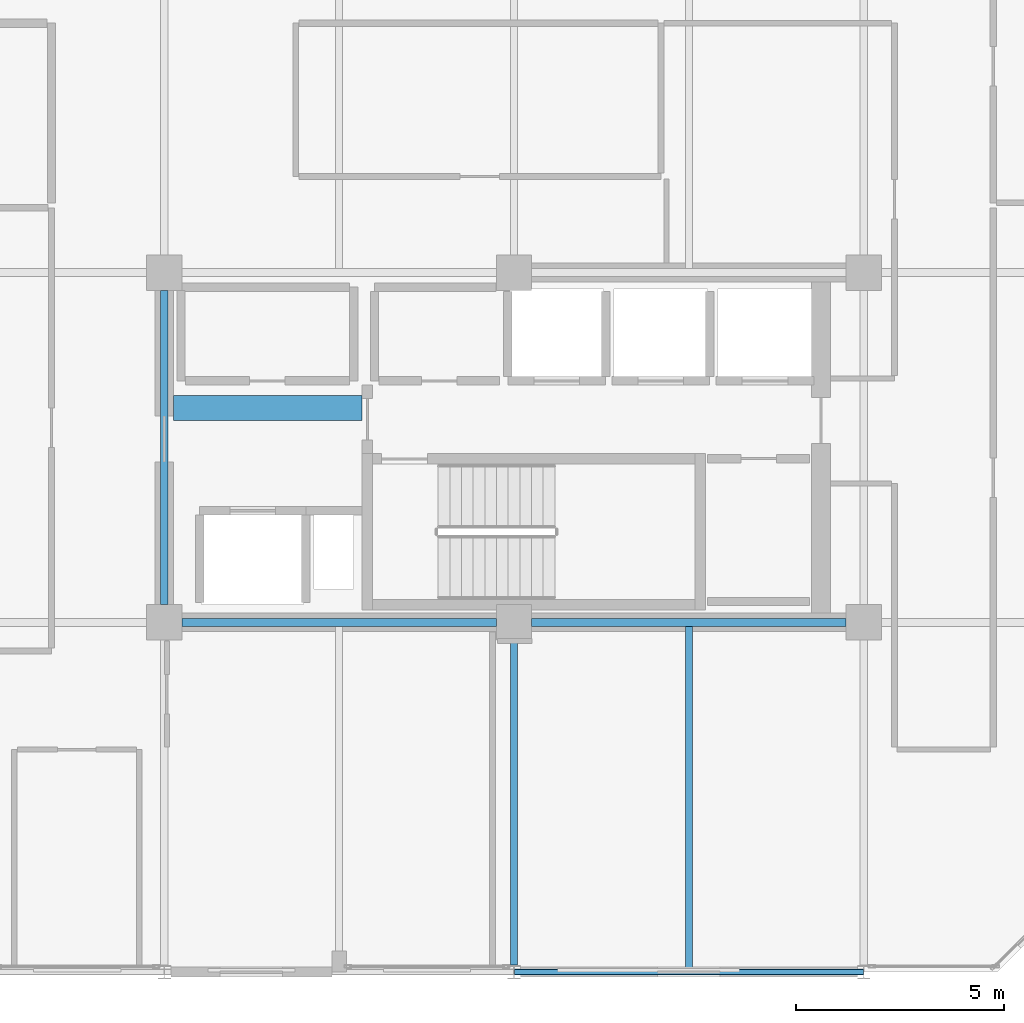
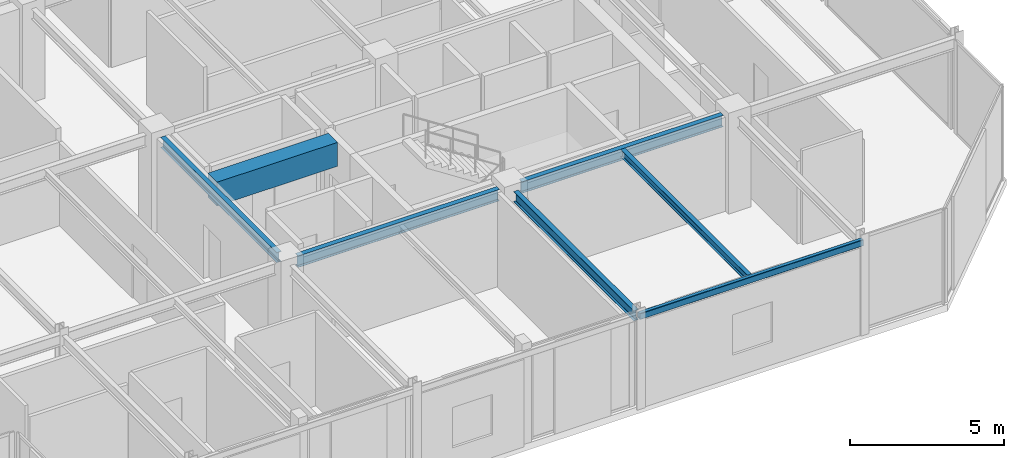
# One storey, part 8 of 26: 7 beams.
"""IFC4 building model written with IfcOpenShell, lengths in metres."""

from ifc_helpers import new_model, si_unit, direction, frame, origin, origin_2d, place, context, subcontext, project, spatial, rectangle, hollow_rectangle, i_section, extrude, material, material_profile, profile_set, type_object, element, save


model = new_model("IFC4")

# Units and contexts
model_context = context("Model", 3, precision=1e-05, world=origin(), true_north=direction((0.0, 1.0)))
body_context = subcontext(model_context, "Body", "Model", "MODEL_VIEW")
ifc_project = project(units=[si_unit("LENGTHUNIT", "METRE"), si_unit("AREAUNIT", "SQUARE_METRE"), si_unit("VOLUMEUNIT", "CUBIC_METRE"), si_unit("PLANEANGLEUNIT", "RADIAN"), si_unit("MASSUNIT", "GRAM", prefix="KILO")], contexts=[model_context])

# Site, building, storey
site_placement = place(None, origin())
site = spatial("IfcSite", under=ifc_project, at=site_placement, CompositionType="ELEMENT")
building_placement = place(site_placement, origin())
building = spatial("IfcBuilding", under=site, at=building_placement, Name="Nerrivon Quay Data Exchange", CompositionType="ELEMENT")
storey_placement = place(building_placement, frame((0.0, 0.0, 250.199951171875)))
storey = spatial("IfcBuildingStorey", under=building, at=storey_placement, Name="L59", CompositionType="ELEMENT", Elevation=250.199951171875)

# Beams
ifc_material_1 = material(Name="Concrete N50 (50 MPa)", Category="concrete")
ifc_material_profile_1 = material_profile(ifc_material_1, rectangle(XDim=0.60009765625, YDim=0.949951171875, at=origin_2d()), Name="RC-CB-600x950")
ifc_profile_set_1 = profile_set([ifc_material_profile_1], Name="Concrete N50 (50 MPa)")
beam_type_1 = type_object("IfcBeamType", Name="BM-CB2-600x950", PredefinedType="LINTEL", material=ifc_profile_set_1)
beam_1_placement = place(storey_placement, frame((17.02490234375, 13.550048828125, 3.25), z_axis=(1.0, 0.0, 0.0), x_axis=(0.0, 1.0, 0.0)))
element("IfcBeam", 1, at=beam_1_placement, inside=storey, type_object=beam_type_1, Name="L59 East Core Coupling Beam", PredefinedType="LINTEL", context=body_context, shape_type="SweptSolid", body=[
    extrude(rectangle(XDim=0.60009765625, YDim=0.949951171875, at=origin_2d()), origin(), (0.0, 0.0, 1.0), 4.530029296875),
])
ifc_material_2 = material(Name="Steel Grade 350", Category="steel")
ifc_material_profile_2 = material_profile(ifc_material_2, i_section(OverallWidth=0.18994140625, OverallDepth=0.4541015625, WebThickness=0.008544921875, FlangeThickness=0.0126953125, FilletRadius=0.011474609375, at=origin_2d()), Name="460UB67.1")
ifc_profile_set_2 = profile_set([ifc_material_profile_2], Name="Steel Grade 350")
beam_type_2 = type_object("IfcBeamType", Name="BM-G6-460UB67", PredefinedType="BEAM", material=ifc_profile_set_2)
beam_2_placement = place(storey_placement, frame((17.22509765625, 8.39990234375, 3.498046875), z_axis=(1.0, 0.0, 0.0), x_axis=(0.0, 1.0, 0.0)))
element("IfcBeam", 2, at=beam_2_placement, inside=storey, type_object=beam_type_2, Name="L59 EW Girder Y=8.4 (16.8..25.2)", PredefinedType="BEAM", context=body_context, shape_type="SweptSolid", body=[
    extrude(i_section(OverallWidth=0.18994140625, OverallDepth=0.4541015625, WebThickness=0.008544921875, FlangeThickness=0.0126953125, FilletRadius=0.011474609375, at=origin_2d()), origin(), (0.0, 0.0, 1.0), 7.5498046875),
])
beam_3_placement = place(storey_placement, frame((25.625, 8.39990234375, 3.498046875), z_axis=(1.0, 0.0, 0.0), x_axis=(0.0, 1.0, 0.0)))
element("IfcBeam", 3, at=beam_3_placement, inside=storey, type_object=beam_type_2, Name="L59 EW Girder Y=8.4 (25.2..33.6)", PredefinedType="BEAM", context=body_context, shape_type="SweptSolid", body=[
    extrude(i_section(OverallWidth=0.18994140625, OverallDepth=0.4541015625, WebThickness=0.008544921875, FlangeThickness=0.0126953125, FilletRadius=0.011474609375, at=origin_2d()), origin(), (0.0, 0.0, 1.0), 7.550048828125),
])
ifc_material_profile_3 = material_profile(ifc_material_2, i_section(OverallWidth=0.177978515625, OverallDepth=0.406005859375, WebThickness=0.0078125, FlangeThickness=0.0126953125, FilletRadius=0.011474609375, at=origin_2d()), Name="410UB59.7")
ifc_profile_set_3 = profile_set([ifc_material_profile_3], Name="Steel Grade 350")
beam_type_3 = type_object("IfcBeamType", Name="BM-J1-410UB60", PredefinedType="JOIST", material=ifc_profile_set_3)
beam_4_placement = place(storey_placement, frame((16.800048828125, 8.824951171875, 3.52197265625), z_axis=(0.0, 1.0, 0.0), x_axis=(-1.0, 0.0, 0.0)))
element("IfcBeam", 4, at=beam_4_placement, inside=storey, type_object=beam_type_3, Name="L59 NS Girder X=16.8 (8.4..16.8)", PredefinedType="JOIST", context=body_context, shape_type="SweptSolid", body=[
    extrude(i_section(OverallWidth=0.177978515625, OverallDepth=0.406005859375, WebThickness=0.0078125, FlangeThickness=0.0126953125, FilletRadius=0.011474609375, at=origin_2d()), origin(), (0.0, 0.0, 1.0), 7.550048828125),
])
beam_5_placement = place(storey_placement, frame((25.199951171875, 0.16357421875, 3.52197265625), z_axis=(0.0, 1.0, 0.0), x_axis=(-1.0, 0.0, 0.0)))
element("IfcBeam", 5, at=beam_5_placement, inside=storey, type_object=beam_type_3, Name="L59 NS Girder X=25.2 (0.0..8.4)", PredefinedType="JOIST", context=body_context, shape_type="SweptSolid", body=[
    extrude(i_section(OverallWidth=0.177978515625, OverallDepth=0.406005859375, WebThickness=0.0078125, FlangeThickness=0.0126953125, FilletRadius=0.011474609375, at=origin_2d()), origin(), (0.0, 0.0, 1.0), 7.8115234375),
])
ifc_material_profile_4 = material_profile(ifc_material_2, i_section(OverallWidth=0.1650390625, OverallDepth=0.303955078125, WebThickness=0.006103515625, FlangeThickness=0.01025390625, FilletRadius=0.011474609375, at=origin_2d()), Name="310UB40.4")
ifc_profile_set_4 = profile_set([ifc_material_profile_4], Name="Steel Grade 350")
beam_type_4 = type_object("IfcBeamType", Name="BM-J6-310UB40", PredefinedType="JOIST", material=ifc_profile_set_4)
beam_6_placement = place(storey_placement, frame((29.39990234375, 0.074951171875, 3.572998046875), z_axis=(0.0, 1.0, 0.0), x_axis=(-1.0, 0.0, 0.0)))
element("IfcBeam", 6, at=beam_6_placement, inside=storey, type_object=beam_type_4, Name="L59 Secondary Joist X=29.4 (0.0..8.4)", PredefinedType="JOIST", context=body_context, shape_type="SweptSolid", body=[
    extrude(i_section(OverallWidth=0.1650390625, OverallDepth=0.303955078125, WebThickness=0.006103515625, FlangeThickness=0.01025390625, FilletRadius=0.011474609375, at=origin_2d()), origin(), (0.0, 0.0, 1.0), 8.22998046875),
])
ifc_material_3 = material(Name="Steel Grade C350L0 (350 MPa)", Category="steel")
ifc_material_profile_5 = material_profile(ifc_material_3, hollow_rectangle(XDim=0.14990234375, YDim=0.25, WallThickness=0.009033203125, InnerFilletRadius=0.013427734375, OuterFilletRadius=0.0224609375, at=origin_2d()), Name="250x150x9.0RHS")
ifc_profile_set_5 = profile_set([ifc_material_profile_5], Name="Steel Grade C350L0 (350 MPa)")
beam_type_5 = type_object("IfcBeamType", Name="BM-SP4-250x150RHS", PredefinedType="SPANDREL", material=ifc_profile_set_5)
beam_7_placement = place(storey_placement, frame((25.2080078125, 0.0, 3.60009765625), z_axis=(1.0, 0.0, 0.0), x_axis=(0.0, 1.0, 0.0)))
element("IfcBeam", 7, at=beam_7_placement, inside=storey, type_object=beam_type_5, Name="L59 EW Girder Y=0.0 (25.2..33.6)", PredefinedType="SPANDREL", context=body_context, shape_type="SweptSolid", body=[
    extrude(hollow_rectangle(XDim=0.14990234375, YDim=0.25, WallThickness=0.009033203125, InnerFilletRadius=0.013427734375, OuterFilletRadius=0.0224609375, at=origin_2d()), origin(), (0.0, 0.0, 1.0), 8.38427734375),
])

save(model, "model.ifc")
